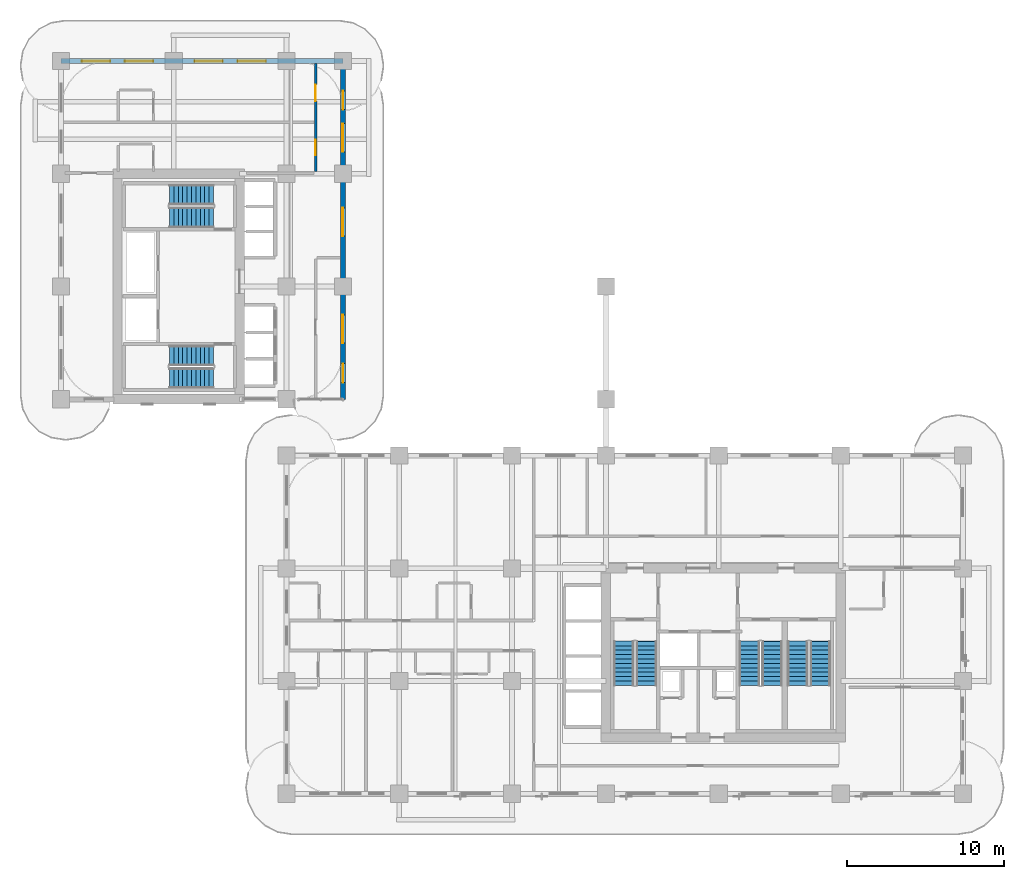
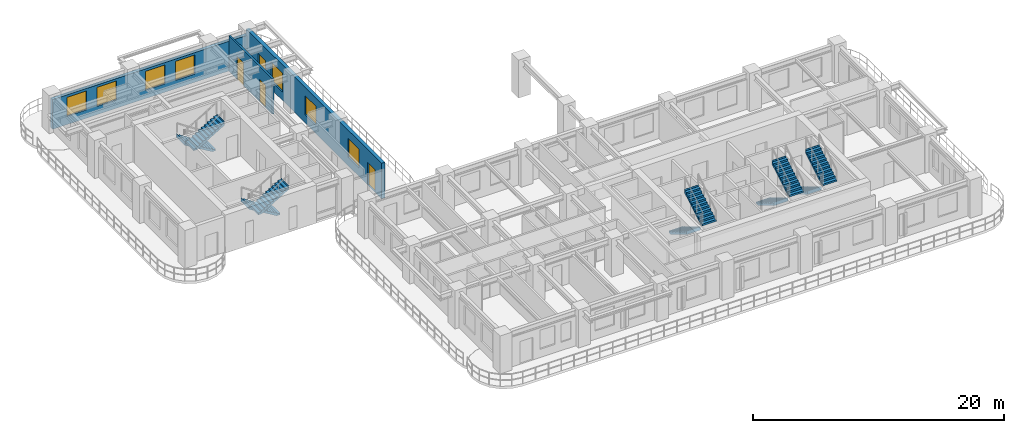
# One storey, part 12 of 19: 10 stair flights, 7 windows, 4 doors, 3 walls, 11 openings, 5 elements without a shape of their own.
"""IFC4 building model written with IfcOpenShell, lengths in metres."""

from ifc_helpers import new_model, si_unit, derived_unit, direction, frame, frame_2d, origin, place, context, subcontext, project, spatial, polyline, rectangle, outline, extrude, source, transform, mapped, material, layer, layer_set, type_object, type_shapes, element, fill, aggregate, save


model = new_model("IFC4")

# Units and contexts
model_context = context("Model", 3, precision=1e-05, world=origin(), true_north=direction((0.0, 1.0)))
body_context = subcontext(model_context, "Body", "Model", "MODEL_VIEW")
ifc_project = project(units=[si_unit("LENGTHUNIT", "METRE"), si_unit("AREAUNIT", "SQUARE_METRE"), si_unit("VOLUMEUNIT", "CUBIC_METRE"), si_unit("PLANEANGLEUNIT", "RADIAN"), si_unit("MASSUNIT", "GRAM", prefix="KILO"), si_unit("THERMODYNAMICTEMPERATUREUNIT", "KELVIN"), si_unit("POWERUNIT", "WATT"), derived_unit("THERMALTRANSMITTANCEUNIT", [(si_unit("POWERUNIT", "WATT"), 1), (si_unit("AREAUNIT", "SQUARE_METRE"), -1), (si_unit("THERMODYNAMICTEMPERATUREUNIT", "KELVIN"), -1)])], contexts=[model_context])

# Site, building, storey
site_placement = place(None, origin())
site = spatial("IfcSite", under=ifc_project, at=site_placement, CompositionType="ELEMENT")
building_placement = place(site_placement, origin())
building = spatial("IfcBuilding", under=site, at=building_placement, Name="Zahravan Archway Hotel and Residences", CompositionType="ELEMENT")
storey_placement = place(building_placement, frame((0.0, 0.0, 32.39990234375)))
storey = spatial("IfcBuildingStorey", under=building, at=storey_placement, Name="L06", CompositionType="ELEMENT", Elevation=32.39990234375)

# Wall, openings, doors, windows
ifc_material_1 = material(Name="Agra Buff Sandstone & Insulated Backup", Category="masonry")
ifc_layer_1 = layer(ifc_material_1, 0.320068359375, Name="Agra Buff Sandstone & Insulated Backup", Category="masonry")
ifc_layer_set_1 = layer_set([ifc_layer_1], Name="Agra Buff Sandstone & Insulated Backup")
wall_type_1 = type_object("IfcWallType", Name="EW-SAND-320", PredefinedType="SOLIDWALL", material=ifc_layer_set_1)
wall_1_placement = place(storey_placement, frame((18.0, 25.199951171875, 0.0), z_axis=(0.0, 0.0, 1.0), x_axis=(0.0, 1.0, 0.0)))
wall_1 = element("IfcWall", 1, at=wall_1_placement, inside=storey, type_object=wall_type_1, Name="L06 Exterior Sandstone Wall WB-E", PredefinedType="SOLIDWALL", context=body_context, shape_type="SweptSolid", body=[
    extrude(rectangle(XDim=21.550048828125, YDim=0.320068359375, at=frame_2d((10.77490234375, 0.0))), origin(), (0.0, 0.0, 1.0), 3.4501953125),
])
opening_1_placement = place(wall_1_placement, frame((18.5, 0.0, 0.0)))
opening_1 = element("IfcOpeningElement", 2, at=opening_1_placement, cuts=wall_1, Name="Opening ED-BL1", PredefinedType="OPENING", context=body_context, shape_type="SweptSolid", body=[
    extrude(rectangle(XDim=1.199951171875, YDim=2.199951171875, at=frame_2d((0.60009765625, 1.10009765625))), frame((0.0, 0.169921875, 0.0), z_axis=(0.0, -1.0, 0.0), x_axis=(1.0, 0.0, 0.0)), (0.0, 0.0, 1.0), 0.340087890625),
])
opening_2_placement = place(wall_1_placement, frame((1.070068359375, 0.0, 0.0)))
opening_2 = element("IfcOpeningElement", 3, at=opening_2_placement, cuts=wall_1, Name="Opening ED-BL1", PredefinedType="OPENING", context=body_context, shape_type="SweptSolid", body=[
    extrude(rectangle(XDim=1.199951171875, YDim=2.199951171875, at=frame_2d((0.60009765625, 1.10009765625))), frame((0.0, 0.169921875, 0.0), z_axis=(0.0, -1.0, 0.0), x_axis=(1.0, 0.0, 0.0)), (0.0, 0.0, 1.0), 0.340087890625),
])
opening_3_placement = place(wall_1_placement, frame((3.5849609375, 0.0, 0.800048828125)))
opening_3 = element("IfcOpeningElement", 4, at=opening_3_placement, cuts=wall_1, Name="Opening W-02", PredefinedType="OPENING", context=body_context, shape_type="SweptSolid", body=[
    extrude(rectangle(XDim=1.800048828125, YDim=1.85009765625, at=frame_2d((0.89990234375, 0.925048828125))), frame((0.0, 0.169921875, 0.0), z_axis=(0.0, -1.0, 0.0), x_axis=(1.0, 0.0, 0.0)), (0.0, 0.0, 1.0), 0.340087890625),
])
opening_4_placement = place(wall_1_placement, frame((10.427978515625, 0.0, 0.800048828125)))
opening_4 = element("IfcOpeningElement", 5, at=opening_4_placement, cuts=wall_1, Name="Opening W-02", PredefinedType="OPENING", context=body_context, shape_type="SweptSolid", body=[
    extrude(rectangle(XDim=1.800048828125, YDim=1.85009765625, at=frame_2d((0.89990234375, 0.925048828125))), frame((0.0, 0.169921875, 0.0), z_axis=(0.0, -1.0, 0.0), x_axis=(1.0, 0.0, 0.0)), (0.0, 0.0, 1.0), 0.340087890625),
])
opening_5_placement = place(wall_1_placement, frame((15.800048828125, 0.0, 0.800048828125)))
opening_5 = element("IfcOpeningElement", 6, at=opening_5_placement, cuts=wall_1, Name="Opening W-02", PredefinedType="OPENING", context=body_context, shape_type="SweptSolid", body=[
    extrude(rectangle(XDim=1.800048828125, YDim=1.85009765625, at=frame_2d((0.89990234375, 0.925048828125))), frame((0.0, 0.169921875, 0.0), z_axis=(0.0, -1.0, 0.0), x_axis=(1.0, 0.0, 0.0)), (0.0, 0.0, 1.0), 0.340087890625),
])
ifc_material_2 = material(Name="Bronze-Anodized Glazed Aluminium", Category="aluminium")
door_type_1 = type_object("IfcDoorType", Name="ED-BALC-1200", OperationType="SLIDING_TO_LEFT", PredefinedType="DOOR", material=ifc_material_2)
shared_shape_1 = source(origin(), body_context, "Body", "SweptSolid", [
    extrude(rectangle(XDim=1.199951171875, YDim=2.199951171875, at=frame_2d((0.60009765625, 1.10009765625))), frame((0.0, 0.02490234375, 0.0), z_axis=(0.0, -1.0, 0.0), x_axis=(1.0, 0.0, 0.0)), (0.0, 0.0, 1.0), 0.050048828125),
])
type_shapes(door_type_1, [shared_shape_1])
door_1_placement = place(opening_1_placement, origin())
door_1 = element("IfcDoor", 7, at=door_1_placement, inside=storey, type_object=door_type_1, Name="L06 Outdoor Access Sliding Door (SLB-BAL-L06-NB)", OperationType="SLIDING_TO_LEFT", OverallHeight=2.199951171875, OverallWidth=1.199951171875, PredefinedType="DOOR", context=body_context, shape_type="MappedRepresentation", body=[
    mapped(shared_shape_1, transform((0.0, 0.0, 0.0), scale=1.0)),
])
fill(opening_1, door_1)
door_2_placement = place(opening_2_placement, origin())
door_2 = element("IfcDoor", 8, at=door_2_placement, inside=storey, type_object=door_type_1, Name="L06 Outdoor Access Sliding Door (SLB-BAL-L06-EB)", OperationType="SLIDING_TO_LEFT", OverallHeight=2.199951171875, OverallWidth=1.199951171875, PredefinedType="DOOR", context=body_context, shape_type="MappedRepresentation", body=[
    mapped(shared_shape_1, transform((0.0, 0.0, 0.0), scale=1.0)),
])
fill(opening_2, door_2)
ifc_material_3 = material(Name="Bronze-Anodized Thermal-Break Aluminium & Low-E Glass", Category="aluminium")
window_type = type_object("IfcWindowType", Name="WIN-TWR-1800", PartitioningType="DOUBLE_PANEL_VERTICAL", PredefinedType="WINDOW", material=ifc_material_3)
shared_shape_2 = source(origin(), body_context, "Body", "SweptSolid", [
    extrude(rectangle(XDim=1.800048828125, YDim=1.85009765625, at=frame_2d((0.89990234375, 0.925048828125))), frame((0.0, 0.030029296875, 0.0), z_axis=(0.0, -1.0, 0.0), x_axis=(1.0, 0.0, 0.0)), (0.0, 0.0, 1.0), 0.06005859375),
])
type_shapes(window_type, [shared_shape_2])
window_1_placement = place(opening_3_placement, origin())
window_1 = element("IfcWindow", 9, at=window_1_placement, inside=storey, type_object=window_type, Name="L06 Loggia Window 34", OverallHeight=1.85009765625, OverallWidth=1.800048828125, PartitioningType="DOUBLE_PANEL_VERTICAL", PredefinedType="WINDOW", context=body_context, shape_type="MappedRepresentation", body=[
    mapped(shared_shape_2, transform((0.0, 0.0, 0.0), scale=1.0)),
])
fill(opening_3, window_1)
window_2_placement = place(opening_4_placement, origin())
window_2 = element("IfcWindow", 10, at=window_2_placement, inside=storey, type_object=window_type, Name="L06 Loggia Window 35", OverallHeight=1.85009765625, OverallWidth=1.800048828125, PartitioningType="DOUBLE_PANEL_VERTICAL", PredefinedType="WINDOW", context=body_context, shape_type="MappedRepresentation", body=[
    mapped(shared_shape_2, transform((0.0, 0.0, 0.0), scale=1.0)),
])
fill(opening_4, window_2)
window_3_placement = place(opening_5_placement, origin())
window_3 = element("IfcWindow", 11, at=window_3_placement, inside=storey, type_object=window_type, Name="L06 Loggia Window 36", OverallHeight=1.85009765625, OverallWidth=1.800048828125, PartitioningType="DOUBLE_PANEL_VERTICAL", PredefinedType="WINDOW", context=body_context, shape_type="MappedRepresentation", body=[
    mapped(shared_shape_2, transform((0.0, 0.0, 0.0), scale=1.0)),
])
fill(opening_5, window_3)

# Wall, openings, windows
wall_2_placement = place(storey_placement, frame((0.0, 46.800048828125, 0.0), z_axis=(0.0, 0.0, 1.0), x_axis=(1.0, 0.0, 0.0)))
wall_2 = element("IfcWall", 12, at=wall_2_placement, inside=storey, type_object=wall_type_1, Name="L06 Exterior Sandstone Wall WB-N", PredefinedType="SOLIDWALL", context=body_context, shape_type="SweptSolid", body=[
    extrude(rectangle(XDim=18.0, YDim=0.320068359375, at=frame_2d((9.0, 0.0))), origin(), (0.0, 0.0, 1.0), 2.885009765625),
])
opening_6_placement = place(wall_2_placement, frame((1.324951171875, 0.0, 0.800048828125)))
opening_6 = element("IfcOpeningElement", 13, at=opening_6_placement, cuts=wall_2, Name="Opening W-02", PredefinedType="OPENING", context=body_context, shape_type="SweptSolid", body=[
    extrude(rectangle(XDim=1.800048828125, YDim=1.85009765625, at=frame_2d((0.89990234375, 0.925048828125))), frame((0.0, 0.169921875, 0.0), z_axis=(0.0, -1.0, 0.0), x_axis=(1.0, 0.0, 0.0)), (0.0, 0.0, 1.0), 0.340087890625),
])
opening_7_placement = place(wall_2_placement, frame((4.074951171875, 0.0, 0.800048828125)))
opening_7 = element("IfcOpeningElement", 14, at=opening_7_placement, cuts=wall_2, Name="Opening W-02", PredefinedType="OPENING", context=body_context, shape_type="SweptSolid", body=[
    extrude(rectangle(XDim=1.800048828125, YDim=1.85009765625, at=frame_2d((0.89990234375, 0.925048828125))), frame((0.0, 0.169921875, 0.0), z_axis=(0.0, -1.0, 0.0), x_axis=(1.0, 0.0, 0.0)), (0.0, 0.0, 1.0), 0.340087890625),
])
opening_8_placement = place(wall_2_placement, frame((8.52490234375, 0.0, 0.800048828125)))
opening_8 = element("IfcOpeningElement", 15, at=opening_8_placement, cuts=wall_2, Name="Opening W-02", PredefinedType="OPENING", context=body_context, shape_type="SweptSolid", body=[
    extrude(rectangle(XDim=1.800048828125, YDim=1.85009765625, at=frame_2d((0.89990234375, 0.925048828125))), frame((0.0, 0.169921875, 0.0), z_axis=(0.0, -1.0, 0.0), x_axis=(1.0, 0.0, 0.0)), (0.0, 0.0, 1.0), 0.340087890625),
])
opening_9_placement = place(wall_2_placement, frame((11.27490234375, 0.0, 0.800048828125)))
opening_9 = element("IfcOpeningElement", 16, at=opening_9_placement, cuts=wall_2, Name="Opening W-02", PredefinedType="OPENING", context=body_context, shape_type="SweptSolid", body=[
    extrude(rectangle(XDim=1.800048828125, YDim=1.85009765625, at=frame_2d((0.89990234375, 0.925048828125))), frame((0.0, 0.169921875, 0.0), z_axis=(0.0, -1.0, 0.0), x_axis=(1.0, 0.0, 0.0)), (0.0, 0.0, 1.0), 0.340087890625),
])
window_4_placement = place(opening_6_placement, origin())
window_4 = element("IfcWindow", 17, at=window_4_placement, inside=storey, type_object=window_type, Name="L06 Loggia Window 37", OverallHeight=1.85009765625, OverallWidth=1.800048828125, PartitioningType="DOUBLE_PANEL_VERTICAL", PredefinedType="WINDOW", context=body_context, shape_type="MappedRepresentation", body=[
    mapped(shared_shape_2, transform((0.0, 0.0, 0.0), scale=1.0)),
])
fill(opening_6, window_4)
window_5_placement = place(opening_7_placement, origin())
window_5 = element("IfcWindow", 18, at=window_5_placement, inside=storey, type_object=window_type, Name="L06 Loggia Window 38", OverallHeight=1.85009765625, OverallWidth=1.800048828125, PartitioningType="DOUBLE_PANEL_VERTICAL", PredefinedType="WINDOW", context=body_context, shape_type="MappedRepresentation", body=[
    mapped(shared_shape_2, transform((0.0, 0.0, 0.0), scale=1.0)),
])
fill(opening_7, window_5)
window_6_placement = place(opening_8_placement, origin())
window_6 = element("IfcWindow", 19, at=window_6_placement, inside=storey, type_object=window_type, Name="L06 Loggia Window 39", OverallHeight=1.85009765625, OverallWidth=1.800048828125, PartitioningType="DOUBLE_PANEL_VERTICAL", PredefinedType="WINDOW", context=body_context, shape_type="MappedRepresentation", body=[
    mapped(shared_shape_2, transform((0.0, 0.0, 0.0), scale=1.0)),
])
fill(opening_8, window_6)
window_7_placement = place(opening_9_placement, origin())
window_7 = element("IfcWindow", 20, at=window_7_placement, inside=storey, type_object=window_type, Name="L06 Loggia Window 40", OverallHeight=1.85009765625, OverallWidth=1.800048828125, PartitioningType="DOUBLE_PANEL_VERTICAL", PredefinedType="WINDOW", context=body_context, shape_type="MappedRepresentation", body=[
    mapped(shared_shape_2, transform((0.0, 0.0, 0.0), scale=1.0)),
])
fill(opening_9, window_7)

# Wall, openings, doors
ifc_material_4 = material(Name="Fire-Rated Gypsum & Concrete Block", Category="concrete")
ifc_layer_2 = layer(ifc_material_4, 0.159912109375, Name="Fire-Rated Gypsum & Concrete Block", Category="concrete")
ifc_layer_set_2 = layer_set([ifc_layer_2], Name="Fire-Rated Gypsum & Concrete Block")
wall_type_2 = type_object("IfcWallType", Name="PW-CORR-160", PredefinedType="PARTITIONING", material=ifc_layer_set_2)
wall_3_placement = place(storey_placement, frame((16.25, 39.739990234375, 0.0), z_axis=(0.0, 0.0, 1.0), x_axis=(0.0, 1.0, 0.0)))
wall_3 = element("IfcWall", 21, at=wall_3_placement, inside=storey, type_object=wall_type_2, Name="L06 Partition WB-CN", PredefinedType="PARTITIONING", context=body_context, shape_type="SweptSolid", body=[
    extrude(rectangle(XDim=6.89208984375, YDim=0.159912109375, at=frame_2d((3.446044921875, 0.0))), origin(), (0.0, 0.0, 1.0), 3.4501953125),
])
opening_10_placement = place(wall_3_placement, frame((1.034912109375, 0.0, 0.0)))
opening_10 = element("IfcOpeningElement", 22, at=opening_10_placement, cuts=wall_3, Name="Opening D-U2", PredefinedType="OPENING", context=body_context, shape_type="SweptSolid", body=[
    extrude(rectangle(XDim=1.0, YDim=2.199951171875, at=frame_2d((0.5, 1.10009765625))), frame((0.0, 0.08984375, 0.0), z_axis=(0.0, -1.0, 0.0), x_axis=(1.0, 0.0, 0.0)), (0.0, 0.0, 1.0), 0.179931640625),
])
opening_11_placement = place(wall_3_placement, frame((4.510009765625, 0.0, 0.0)))
opening_11 = element("IfcOpeningElement", 23, at=opening_11_placement, cuts=wall_3, Name="Opening D-U1", PredefinedType="OPENING", context=body_context, shape_type="SweptSolid", body=[
    extrude(rectangle(XDim=1.050048828125, YDim=2.25, at=frame_2d((0.52490234375, 1.125))), frame((0.0, 0.08984375, 0.0), z_axis=(0.0, -1.0, 0.0), x_axis=(1.0, 0.0, 0.0)), (0.0, 0.0, 1.0), 0.179931640625),
])
ifc_material_5 = material(Name="Hardwood Veneer Timber", Category="wood")
door_type_2 = type_object("IfcDoorType", Name="ID-UNIT-1050", OperationType="NOTDEFINED", PredefinedType="DOOR", material=ifc_material_5)
shared_shape_3 = source(origin(), body_context, "Body", "SweptSolid", [
    extrude(rectangle(XDim=1.050048828125, YDim=2.25, at=frame_2d((0.52490234375, 1.125))), frame((0.0, 0.02490234375, 0.0), z_axis=(0.0, -1.0, 0.0), x_axis=(1.0, 0.0, 0.0)), (0.0, 0.0, 1.0), 0.050048828125),
])
type_shapes(door_type_2, [shared_shape_3])
door_3_placement = place(opening_11_placement, origin())
door_3 = element("IfcDoor", 24, at=door_3_placement, inside=storey, type_object=door_type_2, Name="L06 Hotel Guestroom 62 Entrance Door", OperationType="SINGLE_SWING_LEFT", OverallHeight=2.25, OverallWidth=1.050048828125, PredefinedType="DOOR", context=body_context, shape_type="MappedRepresentation", body=[
    mapped(shared_shape_3, transform((0.0, 0.0, 0.0), scale=1.0)),
])
fill(opening_11, door_3)
door_type_3 = type_object("IfcDoorType", Name="ID-UNIT-1000", OperationType="NOTDEFINED", PredefinedType="DOOR", material=ifc_material_5)
shared_shape_4 = source(origin(), body_context, "Body", "SweptSolid", [
    extrude(rectangle(XDim=1.0, YDim=2.199951171875, at=frame_2d((0.5, 1.10009765625))), frame((0.0, 0.02490234375, 0.0), z_axis=(0.0, -1.0, 0.0), x_axis=(1.0, 0.0, 0.0)), (0.0, 0.0, 1.0), 0.050048828125),
])
type_shapes(door_type_3, [shared_shape_4])
door_4_placement = place(opening_10_placement, origin())
door_4 = element("IfcDoor", 25, at=door_4_placement, inside=storey, type_object=door_type_3, Name="L06 Hotel Guestroom 61 Entrance Door", OperationType="SINGLE_SWING_RIGHT", OverallHeight=2.199951171875, OverallWidth=1.0, PredefinedType="DOOR", context=body_context, shape_type="MappedRepresentation", body=[
    mapped(shared_shape_4, transform((0.0, 0.0, 0.0), scale=1.0)),
])
fill(opening_10, door_4)

# Stair, stair flights
ifc_material_6 = material(Name="Concrete C50/60", Category="concrete")
stair_type = type_object("IfcStairType", Name="STR-CORE-1300", PredefinedType="HALF_TURN_STAIR", material=ifc_material_6)
stair_1_placement = place(storey_placement, origin())
stair_1 = element("IfcStair", 26, at=stair_1_placement, inside=storey, type_object=stair_type, Name="L06 Core A Exit Stair 1", PredefinedType="HALF_TURN_STAIR")
ifc_layer_3 = layer(ifc_material_6, 0.199951171875, Name="Concrete C50/60", Category="concrete")
ifc_layer_set_3 = layer_set([ifc_layer_3], Name="Concrete C50/60")
stair_flight_type = type_object("IfcStairFlightType", Name="SFL-CORE-1300", PredefinedType="STRAIGHT", material=ifc_layer_set_3)
shared_shape_5 = source(origin(), body_context, "Body", "SweptSolid", [
    extrude(outline(polyline([(-0.01611328125, 0.0), (-0.01611328125, 0.168212890625), (0.280029296875, 0.168212890625), (0.280029296875, 0.33642578125), (0.56005859375, 0.33642578125), (0.56005859375, 0.504638671875), (0.840087890625, 0.504638671875), (0.840087890625, 0.672607421875), (1.1201171875, 0.672607421875), (1.1201171875, 0.8408203125), (1.39990234375, 0.8408203125), (1.39990234375, 1.009033203125), (1.679931640625, 1.009033203125), (1.679931640625, 1.17724609375), (1.9599609375, 1.17724609375), (1.9599609375, 1.345458984375), (2.239990234375, 1.345458984375), (2.239990234375, 1.513671875), (2.52001953125, 1.513671875), (2.52001953125, 1.681884765625), (2.800048828125, 1.681884765625), (2.800048828125, 1.85009765625), (2.816162109375, 1.85009765625), (2.816162109375, 1.5068359375), (0.291015625, 0.0), (-0.01611328125, 0.0)])), frame((0.0, 0.64990234375, 0.0), z_axis=(0.0, -1.0, 0.0), x_axis=(1.0, 0.0, 0.0)), (0.0, 0.0, 1.0), 1.300048828125),
])
stair_flight_1_placement = place(storey_placement, frame((35.949951171875, 9.72998046875, 0.0), z_axis=(0.0, 0.0, 1.0), x_axis=(0.0, -1.0, 0.0)))
stair_flight_1 = element("IfcStairFlight", 27, at=stair_flight_1_placement, type_object=stair_flight_type, Name="ST-A1 flight 1", NumberOfRisers=11, NumberOfTreads=10, PredefinedType="STRAIGHT", RiserHeight=0.168181818, TreadLength=0.28, context=body_context, shape_type="MappedRepresentation", body=[
    mapped(shared_shape_5, transform((0.0, 0.0, 0.0), scale=1.0)),
])
stair_flight_2_placement = place(storey_placement, frame((37.389892578125, 6.929931640625, 1.85009765625), z_axis=(0.0, 0.0, 1.0), x_axis=(0.0, 1.0, 0.0)))
stair_flight_2 = element("IfcStairFlight", 28, at=stair_flight_2_placement, type_object=stair_flight_type, Name="ST-A1 flight 2", NumberOfRisers=11, NumberOfTreads=10, PredefinedType="STRAIGHT", RiserHeight=0.168181818, TreadLength=0.28, context=body_context, shape_type="MappedRepresentation", body=[
    mapped(shared_shape_5, transform((0.0, 0.0, 0.0), scale=1.0)),
])
aggregate(stair_1, [stair_flight_1, stair_flight_2])

stair_2_placement = place(storey_placement, origin())
stair_2 = element("IfcStair", 29, at=stair_2_placement, inside=storey, type_object=stair_type, Name="L06 Core A Exit Stair 2", PredefinedType="HALF_TURN_STAIR")
stair_flight_3_placement = place(storey_placement, frame((43.969970703125, 9.72998046875, 0.0), z_axis=(0.0, 0.0, 1.0), x_axis=(0.0, -1.0, 0.0)))
stair_flight_3 = element("IfcStairFlight", 30, at=stair_flight_3_placement, type_object=stair_flight_type, Name="ST-A2 flight 1", NumberOfRisers=11, NumberOfTreads=10, PredefinedType="STRAIGHT", RiserHeight=0.168181818, TreadLength=0.28, context=body_context, shape_type="MappedRepresentation", body=[
    mapped(shared_shape_5, transform((0.0, 0.0, 0.0), scale=1.0)),
])
stair_flight_4_placement = place(storey_placement, frame((45.409912109375, 6.929931640625, 1.85009765625), z_axis=(0.0, 0.0, 1.0), x_axis=(0.0, 1.0, 0.0)))
stair_flight_4 = element("IfcStairFlight", 31, at=stair_flight_4_placement, type_object=stair_flight_type, Name="ST-A2 flight 2", NumberOfRisers=11, NumberOfTreads=10, PredefinedType="STRAIGHT", RiserHeight=0.168181818, TreadLength=0.28, context=body_context, shape_type="MappedRepresentation", body=[
    mapped(shared_shape_5, transform((0.0, 0.0, 0.0), scale=1.0)),
])
aggregate(stair_2, [stair_flight_3, stair_flight_4])

stair_3_placement = place(storey_placement, origin())
stair_3 = element("IfcStair", 32, at=stair_3_placement, inside=storey, type_object=stair_type, Name="L06 Core A Exit Stair 3", PredefinedType="HALF_TURN_STAIR")
stair_flight_5_placement = place(storey_placement, frame((47.050048828125, 9.72998046875, 0.0), z_axis=(0.0, 0.0, 1.0), x_axis=(0.0, -1.0, 0.0)))
stair_flight_5 = element("IfcStairFlight", 33, at=stair_flight_5_placement, type_object=stair_flight_type, Name="ST-A3 flight 1", NumberOfRisers=11, NumberOfTreads=10, PredefinedType="STRAIGHT", RiserHeight=0.168181818, TreadLength=0.28, context=body_context, shape_type="MappedRepresentation", body=[
    mapped(shared_shape_5, transform((0.0, 0.0, 0.0), scale=1.0)),
])
stair_flight_6_placement = place(storey_placement, frame((48.489990234375, 6.929931640625, 1.85009765625), z_axis=(0.0, 0.0, 1.0), x_axis=(0.0, 1.0, 0.0)))
stair_flight_6 = element("IfcStairFlight", 34, at=stair_flight_6_placement, type_object=stair_flight_type, Name="ST-A3 flight 2", NumberOfRisers=11, NumberOfTreads=10, PredefinedType="STRAIGHT", RiserHeight=0.168181818, TreadLength=0.28, context=body_context, shape_type="MappedRepresentation", body=[
    mapped(shared_shape_5, transform((0.0, 0.0, 0.0), scale=1.0)),
])
aggregate(stair_3, [stair_flight_5, stair_flight_6])

stair_4_placement = place(storey_placement, origin())
stair_4 = element("IfcStair", 35, at=stair_4_placement, inside=storey, type_object=stair_type, Name="L06 Core B Exit Stair 1", PredefinedType="HALF_TURN_STAIR")
stair_flight_7_placement = place(storey_placement, frame((9.72998046875, 27.989990234375, 0.0), z_axis=(0.0, 0.0, 1.0), x_axis=(-1.0, 0.0, 0.0)))
stair_flight_7 = element("IfcStairFlight", 36, at=stair_flight_7_placement, type_object=stair_flight_type, Name="ST-B1 flight 1", NumberOfRisers=11, NumberOfTreads=10, PredefinedType="STRAIGHT", RiserHeight=0.168181818, TreadLength=0.28, context=body_context, shape_type="MappedRepresentation", body=[
    mapped(shared_shape_5, transform((0.0, 0.0, 0.0), scale=1.0)),
])
stair_flight_8_placement = place(storey_placement, frame((6.929931640625, 26.550048828125, 1.85009765625), z_axis=(0.0, 0.0, 1.0), x_axis=(1.0, 0.0, 0.0)))
stair_flight_8 = element("IfcStairFlight", 37, at=stair_flight_8_placement, type_object=stair_flight_type, Name="ST-B1 flight 2", NumberOfRisers=11, NumberOfTreads=10, PredefinedType="STRAIGHT", RiserHeight=0.168181818, TreadLength=0.28, context=body_context, shape_type="MappedRepresentation", body=[
    mapped(shared_shape_5, transform((0.0, 0.0, 0.0), scale=1.0)),
])
aggregate(stair_4, [stair_flight_7, stair_flight_8])

stair_5_placement = place(storey_placement, origin())
stair_5 = element("IfcStair", 38, at=stair_5_placement, inside=storey, type_object=stair_type, Name="L06 Core B Exit Stair 2", PredefinedType="HALF_TURN_STAIR")
stair_flight_9_placement = place(storey_placement, frame((9.72998046875, 38.25, 0.0), z_axis=(0.0, 0.0, 1.0), x_axis=(-1.0, 0.0, 0.0)))
stair_flight_9 = element("IfcStairFlight", 39, at=stair_flight_9_placement, type_object=stair_flight_type, Name="ST-B2 flight 1", NumberOfRisers=11, NumberOfTreads=10, PredefinedType="STRAIGHT", RiserHeight=0.168181818, TreadLength=0.28, context=body_context, shape_type="MappedRepresentation", body=[
    mapped(shared_shape_5, transform((0.0, 0.0, 0.0), scale=1.0)),
])
stair_flight_10_placement = place(storey_placement, frame((6.929931640625, 36.81005859375, 1.85009765625), z_axis=(0.0, 0.0, 1.0), x_axis=(1.0, 0.0, 0.0)))
stair_flight_10 = element("IfcStairFlight", 40, at=stair_flight_10_placement, type_object=stair_flight_type, Name="ST-B2 flight 2", NumberOfRisers=11, NumberOfTreads=10, PredefinedType="STRAIGHT", RiserHeight=0.168181818, TreadLength=0.28, context=body_context, shape_type="MappedRepresentation", body=[
    mapped(shared_shape_5, transform((0.0, 0.0, 0.0), scale=1.0)),
])
aggregate(stair_5, [stair_flight_9, stair_flight_10])

save(model, "model.ifc")
